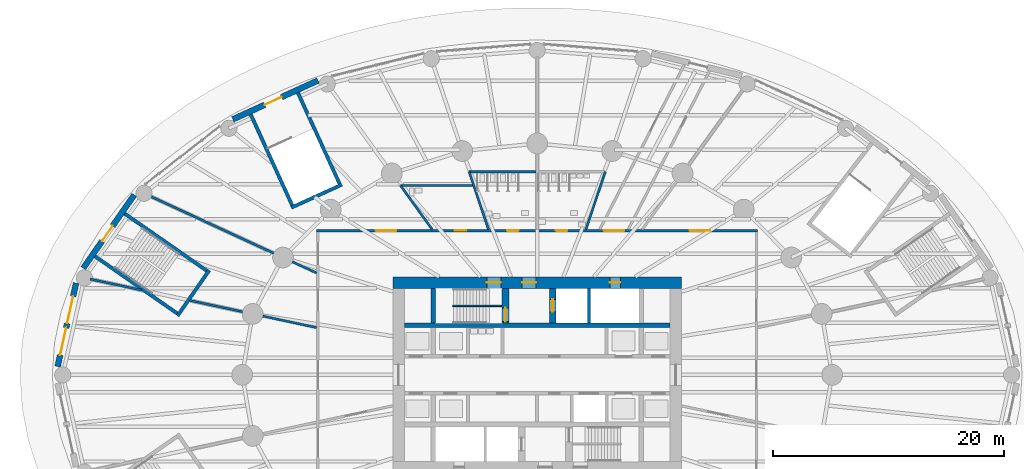
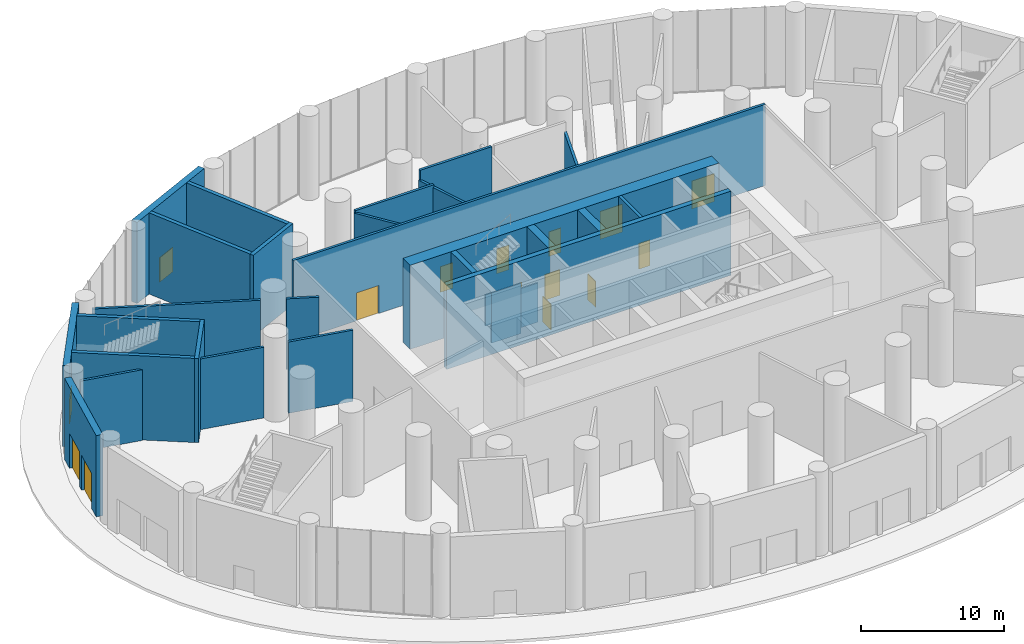
# One storey, part 16 of 22: 29 walls, 15 doors, 15 openings.
"""IFC4 building model written with IfcOpenShell, lengths in metres."""

from ifc_helpers import new_model, si_unit, direction, frame, frame_2d, origin, place, context, subcontext, project, spatial, rectangle, extrude, material, layer, layer_set, type_object, element, fill, save


model = new_model("IFC4")

# Units and contexts
model_context = context("Model", 3, precision=1e-05, world=origin(), true_north=direction((0.0, 1.0)))
body_context = subcontext(model_context, "Body", "Model", "MODEL_VIEW")
ifc_project = project(units=[si_unit("LENGTHUNIT", "METRE"), si_unit("AREAUNIT", "SQUARE_METRE"), si_unit("VOLUMEUNIT", "CUBIC_METRE"), si_unit("PLANEANGLEUNIT", "RADIAN"), si_unit("MASSUNIT", "GRAM", prefix="KILO")], contexts=[model_context])

# Site, building, storey
site_placement = place(None, origin())
site = spatial("IfcSite", under=ifc_project, at=site_placement, CompositionType="ELEMENT")
building_placement = place(site_placement, origin())
building = spatial("IfcBuilding", under=site, at=building_placement, Name="Hankou Lantern Tower", CompositionType="ELEMENT")
storey_placement = place(building_placement, origin())
storey = spatial("IfcBuildingStorey", under=building, at=storey_placement, Name="L00", CompositionType="ELEMENT", Elevation=0.0)

# Wall, openings, doors
ifc_material_1 = material(Name="Concrete C60", Category="concrete")
ifc_layer_1 = layer(ifc_material_1, 1.0)
ifc_layer_set_1 = layer_set([ifc_layer_1], Name="Concrete C60")
wall_type_1 = type_object("IfcWallType", Name="CW1 CORE WALL 1000", PredefinedType="SHEAR", material=ifc_layer_set_1)
wall_1_placement = place(storey_placement, frame((-12.5, 8.0, 0.0), z_axis=(0.0, 0.0, 1.0), x_axis=(1.0, 0.0, 0.0)))
wall_1 = element("IfcWall", 1, at=wall_1_placement, inside=storey, type_object=wall_type_1, Name="Core wall north L00", PredefinedType="SHEAR", context=body_context, shape_type="SweptSolid", body=[
    extrude(rectangle(XDim=25.0, YDim=1.0, at=frame_2d((12.5, 0.0))), origin(), (0.0, 0.0, 1.0), 7.199951171875),
])
opening_1_placement = place(wall_1_placement, frame((11.199951171875, 0.0, 0.0)))
opening_1 = element("IfcOpeningElement", 2, at=opening_1_placement, cuts=wall_1, Name="Opening D5", PredefinedType="OPENING", context=body_context, shape_type="SweptSolid", body=[
    extrude(rectangle(XDim=1.199951171875, YDim=2.199951171875, at=frame_2d((0.60009765625, 1.10009765625))), frame((0.0, 0.510009765625, 0.0), z_axis=(0.0, -1.0, 0.0), x_axis=(1.0, 0.0, 0.0)), (0.0, 0.0, 1.0), 1.02001953125),
])
opening_2_placement = place(wall_1_placement, frame((8.14990234375, 0.0, 0.0)))
opening_2 = element("IfcOpeningElement", 3, at=opening_2_placement, cuts=wall_1, Name="Opening D5", PredefinedType="OPENING", context=body_context, shape_type="SweptSolid", body=[
    extrude(rectangle(XDim=1.199951171875, YDim=2.199951171875, at=frame_2d((0.60009765625, 1.10009765625))), frame((0.0, 0.510009765625, 0.0), z_axis=(0.0, -1.0, 0.0), x_axis=(1.0, 0.0, 0.0)), (0.0, 0.0, 1.0), 1.02001953125),
])
opening_3_placement = place(wall_1_placement, frame((18.800048828125, 0.0, 0.0)))
opening_3 = element("IfcOpeningElement", 4, at=opening_3_placement, cuts=wall_1, Name="Opening D44", PredefinedType="OPENING", context=body_context, shape_type="SweptSolid", body=[
    extrude(rectangle(XDim=0.89990234375, YDim=2.199951171875, at=frame_2d((0.449951171875, 1.10009765625))), frame((0.0, 0.510009765625, 0.0), z_axis=(0.0, -1.0, 0.0), x_axis=(1.0, 0.0, 0.0)), (0.0, 0.0, 1.0), 1.02001953125),
])
ifc_material_2 = material(Name="Steel door leaf", Category="steel")
door_type_1 = type_object("IfcDoorType", Name="D44 CLASS B RISER DOOR 900X2200", OperationType="SINGLE_SWING_LEFT", PredefinedType="DOOR", material=ifc_material_2)
door_1_placement = place(opening_3_placement, origin())
door_1 = element("IfcDoor", 5, at=door_1_placement, inside=storey, type_object=door_type_1, Name="Riser N1 door", OperationType="SINGLE_SWING_RIGHT", OverallHeight=2.199951171875, OverallWidth=0.89990234375, PredefinedType="DOOR", context=body_context, shape_type="SweptSolid", body=[
    extrude(rectangle(XDim=0.89990234375, YDim=2.199951171875, at=frame_2d((0.449951171875, 1.10009765625))), frame((0.0, 0.02490234375, 0.0), z_axis=(0.0, -1.0, 0.0), x_axis=(1.0, 0.0, 0.0)), (0.0, 0.0, 1.0), 0.050048828125),
])
fill(opening_3, door_1)
ifc_material_3 = material(Name="Steel door leaf", Category="steel")
door_type_2 = type_object("IfcDoorType", Name="D5 STAIR LOBBY DOOR 1200X2200", OperationType="SINGLE_SWING_LEFT", PredefinedType="DOOR", material=ifc_material_3)
door_2_placement = place(opening_1_placement, origin())
door_2 = element("IfcDoor", 6, at=door_2_placement, inside=storey, type_object=door_type_2, Name="Stair A lobby door", OperationType="SINGLE_SWING_LEFT", OverallHeight=2.199951171875, OverallWidth=1.199951171875, PredefinedType="DOOR", context=body_context, shape_type="SweptSolid", body=[
    extrude(rectangle(XDim=1.199951171875, YDim=2.199951171875, at=frame_2d((0.60009765625, 1.10009765625))), frame((0.0, 0.02490234375, 0.0), z_axis=(0.0, -1.0, 0.0), x_axis=(1.0, 0.0, 0.0)), (0.0, 0.0, 1.0), 0.050048828125),
])
fill(opening_1, door_2)
door_3_placement = place(opening_2_placement, origin())
door_3 = element("IfcDoor", 7, at=door_3_placement, inside=storey, type_object=door_type_2, Name="Stair A basement exit door", OperationType="SINGLE_SWING_LEFT", OverallHeight=2.199951171875, OverallWidth=1.199951171875, PredefinedType="DOOR", context=body_context, shape_type="SweptSolid", body=[
    extrude(rectangle(XDim=1.199951171875, YDim=2.199951171875, at=frame_2d((0.60009765625, 1.10009765625))), frame((0.0, 0.02490234375, 0.0), z_axis=(0.0, -1.0, 0.0), x_axis=(1.0, 0.0, 0.0)), (0.0, 0.0, 1.0), 0.050048828125),
])
fill(opening_2, door_3)

# Walls
ifc_material_4 = material(Name="Concrete C50", Category="concrete")
ifc_layer_2 = layer(ifc_material_4, 0.1201171875)
ifc_layer_set_2 = layer_set([ifc_layer_2], Name="Concrete C50")
wall_type_2 = type_object("IfcWallType", Name="CW10 STAIR SEPARATION WALL 120", PredefinedType="PARTITIONING", material=ifc_layer_set_2)
wall_2_placement = place(storey_placement, frame((-6.830078125, 5.97509765625, -0.5), z_axis=(0.0, 0.0, 1.0), x_axis=(1.0, 0.0, 0.0)))
element("IfcWall", 8, at=wall_2_placement, inside=storey, type_object=wall_type_2, Name="Stair A separation wall (flight gap)", PredefinedType="PARTITIONING", context=body_context, shape_type="SweptSolid", body=[
    extrude(rectangle(XDim=2.380126953125, YDim=0.1201171875, at=frame_2d((1.18994140625, 0.0))), origin(), (0.0, 0.0, 1.0), 4.300048828125),
])
wall_3_placement = place(storey_placement, frame((-4.449951171875, 5.97509765625, 0.0), z_axis=(0.0, 0.0, 1.0), x_axis=(1.0, 0.0, 0.0)))
element("IfcWall", 9, at=wall_3_placement, inside=storey, type_object=wall_type_2, Name="Stair A separation wall (landing)", PredefinedType="PARTITIONING", context=body_context, shape_type="SweptSolid", body=[
    extrude(rectangle(XDim=1.39990234375, YDim=0.1201171875, at=frame_2d((0.699951171875, 0.0))), origin(), (0.0, 0.0, 1.0), 3.35009765625),
])
wall_4_placement = place(storey_placement, frame((-7.300048828125, 5.97509765625, 1.12890625), z_axis=(0.0, 0.0, 1.0), x_axis=(1.0, 0.0, 0.0)))
element("IfcWall", 10, at=wall_4_placement, inside=storey, type_object=wall_type_2, Name="Stair A separation wall (flight gap, west end)", PredefinedType="PARTITIONING", context=body_context, shape_type="SweptSolid", body=[
    extrude(rectangle(XDim=0.469970703125, YDim=0.1201171875, at=frame_2d((0.23486328125, 0.0))), origin(), (0.0, 0.0, 1.0), 2.671142578125),
])
ifc_material_5 = material(Name="Concrete C60", Category="concrete")
ifc_layer_3 = layer(ifc_material_5, 0.39990234375)
ifc_layer_set_3 = layer_set([ifc_layer_3], Name="Concrete C60")
wall_type_3 = type_object("IfcWallType", Name="CW4 CORE CROSS WALL 400", PredefinedType="SHEAR", material=ifc_layer_set_3)
wall_5_placement = place(storey_placement, frame((-11.5, 4.300048828125, 0.0), z_axis=(0.0, 0.0, 1.0), x_axis=(1.0, 0.0, 0.0)))
element("IfcWall", 11, at=wall_5_placement, inside=storey, type_object=wall_type_3, Name="Core band wall north L00", PredefinedType="SHEAR", context=body_context, shape_type="SweptSolid", body=[
    extrude(rectangle(XDim=23.0, YDim=0.39990234375, at=frame_2d((11.5, 0.0))), origin(), (0.0, 0.0, 1.0), 7.199951171875),
])
wall_6_placement = place(storey_placement, frame((-9.0, 4.5, 0.0), z_axis=(0.0, 0.0, 1.0), x_axis=(0.0, 1.0, 0.0)))
element("IfcWall", 12, at=wall_6_placement, inside=storey, type_object=wall_type_3, Name="Core strip wall L00", PredefinedType="SHEAR", context=body_context, shape_type="SweptSolid", body=[
    extrude(rectangle(XDim=3.0, YDim=0.39990234375, at=frame_2d((1.5, 0.0))), origin(), (0.0, 0.0, 1.0), 7.199951171875),
])

# Wall, opening, door
ifc_material_6 = material(Name="Concrete C60", Category="concrete")
ifc_layer_4 = layer(ifc_material_6, 0.60009765625)
ifc_layer_set_4 = layer_set([ifc_layer_4], Name="Concrete C60")
wall_type_4 = type_object("IfcWallType", Name="CW6 STAIR AND SHAFT WALL 600", PredefinedType="SHEAR", material=ifc_layer_set_4)
wall_7_placement = place(storey_placement, frame((-2.75, 7.5, 0.0), z_axis=(0.0, 0.0, 1.0), x_axis=(0.0, -1.0, 0.0)))
wall_7 = element("IfcWall", 13, at=wall_7_placement, inside=storey, type_object=wall_type_4, Name="Stair wall L00", PredefinedType="SHEAR", context=body_context, shape_type="SweptSolid", body=[
    extrude(rectangle(XDim=3.0, YDim=0.60009765625, at=frame_2d((1.5, 0.0))), origin(), (0.0, 0.0, 1.0), 7.199951171875),
])
opening_4_placement = place(wall_7_placement, frame((1.6923828125, 0.0, 0.0)))
opening_4 = element("IfcOpeningElement", 14, at=opening_4_placement, cuts=wall_7, Name="Opening D45", PredefinedType="OPENING", context=body_context, shape_type="SweptSolid", body=[
    extrude(rectangle(XDim=1.199951171875, YDim=2.199951171875, at=frame_2d((0.60009765625, 1.10009765625))), frame((0.0, 0.31005859375, 0.0), z_axis=(0.0, -1.0, 0.0), x_axis=(1.0, 0.0, 0.0)), (0.0, 0.0, 1.0), 0.6201171875),
])
ifc_material_7 = material(Name="Steel door leaf", Category="steel")
door_type_3 = type_object("IfcDoorType", Name="D45 WIDE STAIR DOOR 1200X2200", OperationType="SINGLE_SWING_LEFT", PredefinedType="DOOR", material=ifc_material_7)
door_4_placement = place(opening_4_placement, origin())
door_4 = element("IfcDoor", 15, at=door_4_placement, inside=storey, type_object=door_type_3, Name="Stair A door", OperationType="SINGLE_SWING_RIGHT", OverallHeight=2.199951171875, OverallWidth=1.199951171875, PredefinedType="DOOR", context=body_context, shape_type="SweptSolid", body=[
    extrude(rectangle(XDim=1.199951171875, YDim=2.199951171875, at=frame_2d((0.60009765625, 1.10009765625))), frame((0.0, 0.02490234375, 0.0), z_axis=(0.0, -1.0, 0.0), x_axis=(1.0, 0.0, 0.0)), (0.0, 0.0, 1.0), 0.050048828125),
])
fill(opening_4, door_4)

wall_8_placement = place(storey_placement, frame((1.35009765625, 4.5, 0.0), z_axis=(0.0, 0.0, 1.0), x_axis=(0.0, 1.0, 0.0)))
wall_8 = element("IfcWall", 16, at=wall_8_placement, inside=storey, type_object=wall_type_4, Name="Firefighting lift shaft wall L00", PredefinedType="SHEAR", context=body_context, shape_type="SweptSolid", body=[
    extrude(rectangle(XDim=3.0, YDim=0.60009765625, at=frame_2d((1.5, 0.0))), origin(), (0.0, 0.0, 1.0), 7.199951171875),
])
opening_5_placement = place(wall_8_placement, frame((0.949951171875, 0.0, 0.0)))
opening_5 = element("IfcOpeningElement", 17, at=opening_5_placement, cuts=wall_8, Name="Opening LD2", PredefinedType="OPENING", context=body_context, shape_type="SweptSolid", body=[
    extrude(rectangle(XDim=1.10009765625, YDim=2.199951171875, at=frame_2d((0.550048828125, 1.10009765625))), frame((0.0, 0.31005859375, 0.0), z_axis=(0.0, -1.0, 0.0), x_axis=(1.0, 0.0, 0.0)), (0.0, 0.0, 1.0), 0.6201171875),
])
ifc_material_8 = material(Name="Steel door leaf", Category="steel")
door_type_4 = type_object("IfcDoorType", Name="LD2 FIREFIGHTING LIFT LANDING DOOR 1100X2200", OperationType="DOUBLE_DOOR_SLIDING", PredefinedType="DOOR", material=ifc_material_8)
door_5_placement = place(opening_5_placement, origin())
door_5 = element("IfcDoor", 18, at=door_5_placement, inside=storey, type_object=door_type_4, Name="Firefighting lift FL1 landing door", OperationType="DOUBLE_DOOR_SLIDING", OverallHeight=2.199951171875, OverallWidth=1.10009765625, PredefinedType="DOOR", context=body_context, shape_type="SweptSolid", body=[
    extrude(rectangle(XDim=1.10009765625, YDim=2.199951171875, at=frame_2d((0.550048828125, 1.10009765625))), frame((0.0, 0.02490234375, 0.0), z_axis=(0.0, -1.0, 0.0), x_axis=(1.0, 0.0, 0.0)), (0.0, 0.0, 1.0), 0.050048828125),
])
fill(opening_5, door_5)

# Walls
ifc_material_9 = material(Name="Concrete C50", Category="concrete")
ifc_layer_5 = layer(ifc_material_9, 0.300048828125)
ifc_layer_set_5 = layer_set([ifc_layer_5], Name="Concrete C50")
wall_type_5 = type_object("IfcWallType", Name="CW7 PODIUM STAIR WALL 300", PredefinedType="SHEAR", material=ifc_layer_set_5)
wall_9_placement = place(storey_placement, frame((-35.7294921875, 13.968017578125, 0.0), z_axis=(0.0, 0.0, 1.0), x_axis=(0.82092761123, -0.571032273274, 0.0)))
element("IfcWall", 19, at=wall_9_placement, inside=storey, type_object=wall_type_5, Name="Podium stair P2 wall", PredefinedType="SHEAR", context=body_context, shape_type="SweptSolid", body=[
    extrude(rectangle(XDim=8.659912109375, YDim=0.300048828125, at=frame_2d((4.330078125, 0.0))), origin(), (0.0, 0.0, 1.0), 7.199951171875),
])
wall_10_placement = place(storey_placement, frame((-38.29931640625, 10.273681640625, 0.0), z_axis=(0.0, 0.0, 1.0), x_axis=(0.820936803751, -0.571019057692, 0.0)))
element("IfcWall", 20, at=wall_10_placement, inside=storey, type_object=wall_type_5, Name="Podium stair P2 wall", PredefinedType="SHEAR", context=body_context, shape_type="SweptSolid", body=[
    extrude(rectangle(XDim=8.66015625, YDim=0.300048828125, at=frame_2d((4.330078125, 0.0))), origin(), (0.0, 0.0, 1.0), 7.199951171875),
])
wall_11_placement = place(storey_placement, frame((-28.41162109375, 9.060302734375, 0.0), z_axis=(0.0, 0.0, 1.0), x_axis=(-0.571036173178, -0.820924898467, 0.0)))
element("IfcWall", 21, at=wall_11_placement, inside=storey, type_object=wall_type_5, Name="Podium stair P2 wall", PredefinedType="SHEAR", context=body_context, shape_type="SweptSolid", body=[
    extrude(rectangle(XDim=4.800048828125, YDim=0.300048828125, at=frame_2d((2.39990234375, 0.0))), origin(), (0.0, 0.0, 1.0), 7.199951171875),
])
for number, where, z_axis, x_axis, name in (
    (22, (-20.722412109375, 24.437255859375, 0.0), (0.0, 0.0, 1.0), (0.415348644036, -0.909662302119, 0.0), "Basement stair BS2 wall"),
    (23, (-24.81591796875, 22.568359375, 0.0), (0.0, 0.0, 1.0), (0.415348644036, -0.909662302119, 0.0), "Basement stair BS2 wall"),
):
    element("IfcWall", number, at=place(storey_placement, frame(where, z_axis=z_axis, x_axis=x_axis)), inside=storey, type_object=wall_type_5, Name=name, PredefinedType="SHEAR", context=body_context, shape_type="SweptSolid", body=[
        extrude(rectangle(XDim=8.659912109375, YDim=0.300048828125, at=frame_2d((4.330078125, 0.0))), origin(), (0.0, 0.0, 1.0), 6.949951171875),
    ])
wall_12_placement = place(storey_placement, frame((-16.9267578125, 16.4853515625, 0.0), z_axis=(0.0, 0.0, 1.0), x_axis=(-0.90966669911, -0.415339013975, 0.0)))
element("IfcWall", 24, at=wall_12_placement, inside=storey, type_object=wall_type_5, Name="Basement stair BS2 wall", PredefinedType="SHEAR", context=body_context, shape_type="SweptSolid", body=[
    extrude(rectangle(XDim=4.800048828125, YDim=0.300048828125, at=frame_2d((2.39990234375, 0.0))), origin(), (0.0, 0.0, 1.0), 6.949951171875),
])

# Wall, opening, door
ifc_material_10 = material(Name="Granite cladding on reinforced concrete C50", Category="masonry")
ifc_layer_6 = layer(ifc_material_10, 0.5)
ifc_layer_set_6 = layer_set([ifc_layer_6], Name="Granite cladding on reinforced concrete C50")
wall_type_6 = type_object("IfcWallType", Name="EW2 STONE PORTAL WALL 500", PredefinedType="SOLIDWALL", material=ifc_layer_set_6)
wall_13_placement = place(storey_placement, frame((-18.9873046875, 25.50439453125, 0.0), z_axis=(0.0, 0.0, 1.0), x_axis=(-0.909665260177, -0.415342165482, 0.0)))
wall_13 = element("IfcWall", 25, at=wall_13_placement, inside=storey, type_object=wall_type_6, Name="Portal wall R09 L00", PredefinedType="SOLIDWALL", context=body_context, shape_type="SweptSolid", body=[
    extrude(rectangle(XDim=8.111083984375, YDim=0.5, at=frame_2d((4.0556640625, 0.0))), origin(), (0.0, 0.0, 1.0), 6.949951171875),
])
opening_6_placement = place(wall_13_placement, frame((3.471435546875, 0.0, 0.0)))
opening_6 = element("IfcOpeningElement", 26, at=opening_6_placement, cuts=wall_13, Name="Opening D21", PredefinedType="OPENING", context=body_context, shape_type="SweptSolid", body=[
    extrude(rectangle(XDim=1.60009765625, YDim=2.10009765625, at=frame_2d((0.800048828125, 1.050048828125))), frame((0.0, 0.260009765625, 0.0), z_axis=(0.0, -1.0, 0.0), x_axis=(1.0, 0.0, 0.0)), (0.0, 0.0, 1.0), 0.52001953125),
])
ifc_material_11 = material(Name="Steel door leaf", Category="steel")
door_type_5 = type_object("IfcDoorType", Name="D21 PODIUM STAIR EXIT DOOR 1600X2100", OperationType="DOUBLE_DOOR_DOUBLE_SWING", PredefinedType="DOOR", material=ifc_material_11)
door_6_placement = place(opening_6_placement, origin())
door_6 = element("IfcDoor", 27, at=door_6_placement, inside=storey, type_object=door_type_5, Name="Basement stair BS2 exit door", OperationType="DOUBLE_DOOR_DOUBLE_SWING", OverallHeight=2.10009765625, OverallWidth=1.60009765625, PredefinedType="DOOR", context=body_context, shape_type="SweptSolid", body=[
    extrude(rectangle(XDim=1.60009765625, YDim=2.10009765625, at=frame_2d((0.800048828125, 1.050048828125))), frame((0.0, 0.02490234375, 0.0), z_axis=(0.0, -1.0, 0.0), x_axis=(1.0, 0.0, 0.0)), (0.0, 0.0, 1.0), 0.050048828125),
])
fill(opening_6, door_6)

wall_14_placement = place(storey_placement, frame((-34.90478515625, 15.591552734375, 0.0), z_axis=(0.0, 0.0, 1.0), x_axis=(-0.571029335057, -0.820929655028, 0.0)))
wall_14 = element("IfcWall", 28, at=wall_14_placement, inside=storey, type_object=wall_type_6, Name="Portal wall R11 L00", PredefinedType="SOLIDWALL", context=body_context, shape_type="SweptSolid", body=[
    extrude(rectangle(XDim=7.732666015625, YDim=0.5, at=frame_2d((3.8662109375, 0.0))), origin(), (0.0, 0.0, 1.0), 6.949951171875),
])
opening_7_placement = place(wall_14_placement, frame((3.273681640625, 0.0, 0.0)))
opening_7 = element("IfcOpeningElement", 29, at=opening_7_placement, cuts=wall_14, Name="Opening D21", PredefinedType="OPENING", context=body_context, shape_type="SweptSolid", body=[
    extrude(rectangle(XDim=1.60009765625, YDim=2.10009765625, at=frame_2d((0.800048828125, 1.050048828125))), frame((0.0, 0.260009765625, 0.0), z_axis=(0.0, -1.0, 0.0), x_axis=(1.0, 0.0, 0.0)), (0.0, 0.0, 1.0), 0.52001953125),
])
door_7_placement = place(opening_7_placement, origin())
door_7 = element("IfcDoor", 30, at=door_7_placement, inside=storey, type_object=door_type_5, Name="Podium stair P2 exit door", OperationType="DOUBLE_DOOR_DOUBLE_SWING", OverallHeight=2.10009765625, OverallWidth=1.60009765625, PredefinedType="DOOR", context=body_context, shape_type="SweptSolid", body=[
    extrude(rectangle(XDim=1.60009765625, YDim=2.10009765625, at=frame_2d((0.800048828125, 1.050048828125))), frame((0.0, 0.02490234375, 0.0), z_axis=(0.0, -1.0, 0.0), x_axis=(1.0, 0.0, 0.0)), (0.0, 0.0, 1.0), 0.050048828125),
])
fill(opening_7, door_7)

# Wall, openings, doors
wall_15_placement = place(storey_placement, frame((-39.94287109375, 7.94970703125, 0.0), z_axis=(0.0, 0.0, 1.0), x_axis=(-0.215818853801, -0.976433419309, 0.0)))
wall_15 = element("IfcWall", 31, at=wall_15_placement, inside=storey, type_object=wall_type_6, Name="Portal wall R12 L00", PredefinedType="SOLIDWALL", context=body_context, shape_type="SweptSolid", body=[
    extrude(rectangle(XDim=7.39599609375, YDim=0.5, at=frame_2d((3.697998046875, 0.0))), origin(), (0.0, 0.0, 1.0), 6.949951171875),
])
opening_8_placement = place(wall_15_placement, frame((1.17138671875, 0.0, 0.0)))
opening_8 = element("IfcOpeningElement", 32, at=opening_8_placement, cuts=wall_15, Name="Opening D18", PredefinedType="OPENING", context=body_context, shape_type="SweptSolid", body=[
    extrude(rectangle(XDim=2.39990234375, YDim=3.0, at=frame_2d((1.199951171875, 1.5))), frame((0.0, 0.260009765625, 0.0), z_axis=(0.0, -1.0, 0.0), x_axis=(1.0, 0.0, 0.0)), (0.0, 0.0, 1.0), 0.52001953125),
])
opening_9_placement = place(wall_15_placement, frame((3.971435546875, 0.0, 0.0)))
opening_9 = element("IfcOpeningElement", 33, at=opening_9_placement, cuts=wall_15, Name="Opening D18", PredefinedType="OPENING", context=body_context, shape_type="SweptSolid", body=[
    extrude(rectangle(XDim=2.39990234375, YDim=3.0, at=frame_2d((1.199951171875, 1.5))), frame((0.0, 0.260009765625, 0.0), z_axis=(0.0, -1.0, 0.0), x_axis=(1.0, 0.0, 0.0)), (0.0, 0.0, 1.0), 0.52001953125),
])
ifc_material_12 = material(Name="Aluminium framed glazed door", Category="aluminium")
door_type_6 = type_object("IfcDoorType", Name="D18 ENTRANCE DOOR 2400X3000", OperationType="DOUBLE_DOOR_DOUBLE_SWING", PredefinedType="DOOR", material=ifc_material_12)
door_8_placement = place(opening_8_placement, origin())
door_8 = element("IfcDoor", 34, at=door_8_placement, inside=storey, type_object=door_type_6, Name="Entrance door R12a", OperationType="DOUBLE_DOOR_DOUBLE_SWING", OverallHeight=3.0, OverallWidth=2.39990234375, PredefinedType="DOOR", context=body_context, shape_type="SweptSolid", body=[
    extrude(rectangle(XDim=2.39990234375, YDim=3.0, at=frame_2d((1.199951171875, 1.5))), frame((0.0, 0.02490234375, 0.0), z_axis=(0.0, -1.0, 0.0), x_axis=(1.0, 0.0, 0.0)), (0.0, 0.0, 1.0), 0.050048828125),
])
fill(opening_8, door_8)
door_9_placement = place(opening_9_placement, origin())
door_9 = element("IfcDoor", 35, at=door_9_placement, inside=storey, type_object=door_type_6, Name="Entrance door R12b", OperationType="DOUBLE_DOOR_DOUBLE_SWING", OverallHeight=3.0, OverallWidth=2.39990234375, PredefinedType="DOOR", context=body_context, shape_type="SweptSolid", body=[
    extrude(rectangle(XDim=2.39990234375, YDim=3.0, at=frame_2d((1.199951171875, 1.5))), frame((0.0, 0.02490234375, 0.0), z_axis=(0.0, -1.0, 0.0), x_axis=(1.0, 0.0, 0.0)), (0.0, 0.0, 1.0), 0.050048828125),
])
fill(opening_9, door_9)

# Walls
ifc_material_13 = material(Name="Masonry lightweight concrete block", Category="masonry")
ifc_layer_7 = layer(ifc_material_13, 0.199951171875)
ifc_layer_set_7 = layer_set([ifc_layer_7], Name="Masonry lightweight concrete block")
wall_type_7 = type_object("IfcWallType", Name="IW8 PARTITION 200", PredefinedType="PARTITIONING", material=ifc_layer_set_7)
for number, where, z_axis, x_axis, name in (
    (36, (4.22021484375, 12.60009765625, 0.0), (0.0, 0.0, 1.0), (0.317574790206, 0.948233226915, 0.0), "Partition R06"),
    (37, (-4.22021484375, 12.60009765625, 0.0), (0.0, 0.0, 1.0), (-0.317574790206, 0.948233226915, 0.0), "Partition R08"),
):
    element("IfcWall", number, at=place(storey_placement, frame(where, z_axis=z_axis, x_axis=x_axis)), inside=storey, type_object=wall_type_7, Name=name, PredefinedType="PARTITIONING", context=body_context, shape_type="SweptSolid", body=[
        extrude(rectangle(XDim=5.27294921875, YDim=0.199951171875, at=frame_2d((2.636474609375, 0.0))), origin(), (0.0, 0.0, 1.0), 6.10009765625),
    ])
wall_16_placement = place(storey_placement, frame((-9.09326171875, 12.60009765625, 0.0), z_axis=(0.0, 0.0, 1.0), x_axis=(-0.585228020299, 0.810868771292, 0.0)))
element("IfcWall", 38, at=wall_16_placement, inside=storey, type_object=wall_type_7, Name="Partition R09", PredefinedType="PARTITIONING", context=body_context, shape_type="SweptSolid", body=[
    extrude(rectangle(XDim=4.68603515625, YDim=0.199951171875, at=frame_2d((2.343017578125, 0.0))), origin(), (0.0, 0.0, 1.0), 6.10009765625),
])
wall_17_placement = place(storey_placement, frame((-19.10009765625, 8.822021484375, 0.0), z_axis=(0.0, 0.0, 1.0), x_axis=(-0.907872952542, 0.419245395971, 0.0)))
element("IfcWall", 39, at=wall_17_placement, inside=storey, type_object=wall_type_7, Name="Partition R11", PredefinedType="PARTITIONING", context=body_context, shape_type="SweptSolid", body=[
    extrude(rectangle(XDim=2.3154296875, YDim=0.199951171875, at=frame_2d((1.15771484375, 0.0))), origin(), (0.0, 0.0, 1.0), 6.050048828125),
])
wall_18_placement = place(storey_placement, frame((-22.836181640625, 10.547607421875, 0.0), z_axis=(0.0, 0.0, 1.0), x_axis=(-0.90784065247, 0.419315334471, 0.0)))
element("IfcWall", 40, at=wall_18_placement, inside=storey, type_object=wall_type_7, Name="Partition R11", PredefinedType="PARTITIONING", context=body_context, shape_type="SweptSolid", body=[
    extrude(rectangle(XDim=11.859619140625, YDim=0.199951171875, at=frame_2d((5.9296875, 0.0))), origin(), (0.0, 0.0, 1.0), 6.050048828125),
])
wall_19_placement = place(storey_placement, frame((-0.10009765625, 17.60009765625, 0.0), z_axis=(0.0, 0.0, 1.0), x_axis=(-1.0, 0.0, 0.0)))
element("IfcWall", 41, at=wall_19_placement, inside=storey, type_object=wall_type_7, Name="Partition WC back wall", PredefinedType="PARTITIONING", context=body_context, shape_type="SweptSolid", body=[
    extrude(rectangle(XDim=5.794677734375, YDim=0.199951171875, at=frame_2d((2.8974609375, 0.0))), origin(), (0.0, 0.0, 1.0), 6.949951171875),
])
wall_20_placement = place(storey_placement, frame((-5.492919921875, 16.39990234375, 0.0), z_axis=(0.0, 0.0, 1.0), x_axis=(-1.0, 0.0, 0.0)))
element("IfcWall", 42, at=wall_20_placement, inside=storey, type_object=wall_type_7, Name="Partition accessible WC back wall", PredefinedType="PARTITIONING", context=body_context, shape_type="SweptSolid", body=[
    extrude(rectangle(XDim=6.3427734375, YDim=0.199951171875, at=frame_2d((3.17138671875, 0.0))), origin(), (0.0, 0.0, 1.0), 6.300048828125),
])

# Wall, openings, doors
ifc_material_14 = material(Name="Masonry dense concrete block", Category="masonry")
ifc_layer_8 = layer(ifc_material_14, 0.199951171875)
ifc_layer_set_8 = layer_set([ifc_layer_8], Name="Masonry dense concrete block")
wall_type_8 = type_object("IfcWallType", Name="IW9 2 H FIRE PARTITION 200", PredefinedType="PARTITIONING", material=ifc_layer_set_8)
wall_21_placement = place(storey_placement, frame((-19.10009765625, 12.5, 0.0), z_axis=(0.0, 0.0, 1.0), x_axis=(1.0, 0.0, 0.0)))
wall_21 = element("IfcWall", 43, at=wall_21_placement, inside=storey, type_object=wall_type_8, Name="Foyer wall north", PredefinedType="PARTITIONING", context=body_context, shape_type="SweptSolid", body=[
    extrude(rectangle(XDim=38.2001953125, YDim=0.199951171875, at=frame_2d((19.10009765625, 0.0))), origin(), (0.0, 0.0, 1.0), 6.949951171875),
])
opening_10_placement = place(wall_21_placement, frame((32.296630859375, 0.0, 0.0)))
opening_10 = element("IfcOpeningElement", 44, at=opening_10_placement, cuts=wall_21, Name="Opening D8", PredefinedType="OPENING", context=body_context, shape_type="SweptSolid", body=[
    extrude(rectangle(XDim=1.800048828125, YDim=2.39990234375, at=frame_2d((0.89990234375, 1.199951171875))), frame((0.0, 0.10986328125, 0.0), z_axis=(0.0, -1.0, 0.0), x_axis=(1.0, 0.0, 0.0)), (0.0, 0.0, 1.0), 0.219970703125),
])
opening_11_placement = place(wall_21_placement, frame((24.856689453125, 0.0, 0.0)))
opening_11 = element("IfcOpeningElement", 45, at=opening_11_placement, cuts=wall_21, Name="Opening D8", PredefinedType="OPENING", context=body_context, shape_type="SweptSolid", body=[
    extrude(rectangle(XDim=1.800048828125, YDim=2.39990234375, at=frame_2d((0.89990234375, 1.199951171875))), frame((0.0, 0.10986328125, 0.0), z_axis=(0.0, -1.0, 0.0), x_axis=(1.0, 0.0, 0.0)), (0.0, 0.0, 1.0), 0.219970703125),
])
opening_12_placement = place(wall_21_placement, frame((20.710205078125, 0.0, 0.0)))
opening_12 = element("IfcOpeningElement", 46, at=opening_12_placement, cuts=wall_21, Name="Opening D41", PredefinedType="OPENING", context=body_context, shape_type="SweptSolid", body=[
    extrude(rectangle(XDim=1.0, YDim=2.10009765625, at=frame_2d((0.5, 1.050048828125))), frame((0.0, 0.10986328125, 0.0), z_axis=(0.0, -1.0, 0.0), x_axis=(1.0, 0.0, 0.0)), (0.0, 0.0, 1.0), 0.219970703125),
])
opening_13_placement = place(wall_21_placement, frame((16.489990234375, 0.0, 0.0)))
opening_13 = element("IfcOpeningElement", 47, at=opening_13_placement, cuts=wall_21, Name="Opening D41", PredefinedType="OPENING", context=body_context, shape_type="SweptSolid", body=[
    extrude(rectangle(XDim=1.0, YDim=2.10009765625, at=frame_2d((0.5, 1.050048828125))), frame((0.0, 0.10986328125, 0.0), z_axis=(0.0, -1.0, 0.0), x_axis=(1.0, 0.0, 0.0)), (0.0, 0.0, 1.0), 0.219970703125),
])
opening_14_placement = place(wall_21_placement, frame((11.943359375, 0.0, 0.0)))
opening_14 = element("IfcOpeningElement", 48, at=opening_14_placement, cuts=wall_21, Name="Opening D42", PredefinedType="OPENING", context=body_context, shape_type="SweptSolid", body=[
    extrude(rectangle(XDim=1.0, YDim=2.199951171875, at=frame_2d((0.5, 1.10009765625))), frame((0.0, 0.10986328125, 0.0), z_axis=(0.0, -1.0, 0.0), x_axis=(1.0, 0.0, 0.0)), (0.0, 0.0, 1.0), 0.219970703125),
])
opening_15_placement = place(wall_21_placement, frame((5.10009765625, 0.0, 0.0)))
opening_15 = element("IfcOpeningElement", 49, at=opening_15_placement, cuts=wall_21, Name="Opening D8", PredefinedType="OPENING", context=body_context, shape_type="SweptSolid", body=[
    extrude(rectangle(XDim=1.800048828125, YDim=2.39990234375, at=frame_2d((0.89990234375, 1.199951171875))), frame((0.0, 0.10986328125, 0.0), z_axis=(0.0, -1.0, 0.0), x_axis=(1.0, 0.0, 0.0)), (0.0, 0.0, 1.0), 0.219970703125),
])
ifc_material_15 = material(Name="Steel door leaf", Category="steel")
door_type_7 = type_object("IfcDoorType", Name="D41 CLASS B WC DOOR 1000X2100", OperationType="SINGLE_SWING_LEFT", PredefinedType="DOOR", material=ifc_material_15)
door_10_placement = place(opening_12_placement, origin())
door_10 = element("IfcDoor", 50, at=door_10_placement, inside=storey, type_object=door_type_7, Name="Public male WC door", OperationType="SINGLE_SWING_RIGHT", OverallHeight=2.10009765625, OverallWidth=1.0, PredefinedType="DOOR", context=body_context, shape_type="SweptSolid", body=[
    extrude(rectangle(XDim=1.0, YDim=2.10009765625, at=frame_2d((0.5, 1.050048828125))), frame((0.0, 0.02490234375, 0.0), z_axis=(0.0, -1.0, 0.0), x_axis=(1.0, 0.0, 0.0)), (0.0, 0.0, 1.0), 0.050048828125),
])
fill(opening_12, door_10)
door_11_placement = place(opening_13_placement, origin())
door_11 = element("IfcDoor", 51, at=door_11_placement, inside=storey, type_object=door_type_7, Name="Public female WC door", OperationType="SINGLE_SWING_LEFT", OverallHeight=2.10009765625, OverallWidth=1.0, PredefinedType="DOOR", context=body_context, shape_type="SweptSolid", body=[
    extrude(rectangle(XDim=1.0, YDim=2.10009765625, at=frame_2d((0.5, 1.050048828125))), frame((0.0, 0.02490234375, 0.0), z_axis=(0.0, -1.0, 0.0), x_axis=(1.0, 0.0, 0.0)), (0.0, 0.0, 1.0), 0.050048828125),
])
fill(opening_13, door_11)
ifc_material_16 = material(Name="Steel door leaf", Category="steel")
door_type_8 = type_object("IfcDoorType", Name="D42 CLASS B ACCESSIBLE WC DOOR 1000X2200", OperationType="SLIDING_TO_LEFT", PredefinedType="DOOR", material=ifc_material_16)
door_12_placement = place(opening_14_placement, origin())
door_12 = element("IfcDoor", 52, at=door_12_placement, inside=storey, type_object=door_type_8, Name="Accessible WC and baby change door", OperationType="SLIDING_TO_LEFT", OverallHeight=2.199951171875, OverallWidth=1.0, PredefinedType="DOOR", context=body_context, shape_type="SweptSolid", body=[
    extrude(rectangle(XDim=1.0, YDim=2.199951171875, at=frame_2d((0.5, 1.10009765625))), frame((0.0, 0.02490234375, 0.0), z_axis=(0.0, -1.0, 0.0), x_axis=(1.0, 0.0, 0.0)), (0.0, 0.0, 1.0), 0.050048828125),
])
fill(opening_14, door_12)
ifc_material_17 = material(Name="Steel door leaf", Category="steel")
door_type_9 = type_object("IfcDoorType", Name="D8 DOUBLE DOOR 1800X2400", OperationType="DOUBLE_DOOR_DOUBLE_SWING", PredefinedType="DOOR", material=ifc_material_17)
door_13_placement = place(opening_10_placement, origin())
door_13 = element("IfcDoor", 53, at=door_13_placement, inside=storey, type_object=door_type_9, Name="Retail unit G01 door", OperationType="DOUBLE_DOOR_DOUBLE_SWING", OverallHeight=2.39990234375, OverallWidth=1.800048828125, PredefinedType="DOOR", context=body_context, shape_type="SweptSolid", body=[
    extrude(rectangle(XDim=1.800048828125, YDim=2.39990234375, at=frame_2d((0.89990234375, 1.199951171875))), frame((0.0, 0.02490234375, 0.0), z_axis=(0.0, -1.0, 0.0), x_axis=(1.0, 0.0, 0.0)), (0.0, 0.0, 1.0), 0.050048828125),
])
fill(opening_10, door_13)
door_14_placement = place(opening_11_placement, origin())
door_14 = element("IfcDoor", 54, at=door_14_placement, inside=storey, type_object=door_type_9, Name="Protected passage A door", OperationType="DOUBLE_DOOR_DOUBLE_SWING", OverallHeight=2.39990234375, OverallWidth=1.800048828125, PredefinedType="DOOR", context=body_context, shape_type="SweptSolid", body=[
    extrude(rectangle(XDim=1.800048828125, YDim=2.39990234375, at=frame_2d((0.89990234375, 1.199951171875))), frame((0.0, 0.02490234375, 0.0), z_axis=(0.0, -1.0, 0.0), x_axis=(1.0, 0.0, 0.0)), (0.0, 0.0, 1.0), 0.050048828125),
])
fill(opening_11, door_14)
door_15_placement = place(opening_15_placement, origin())
door_15 = element("IfcDoor", 55, at=door_15_placement, inside=storey, type_object=door_type_9, Name="Retail unit G03 door", OperationType="DOUBLE_DOOR_DOUBLE_SWING", OverallHeight=2.39990234375, OverallWidth=1.800048828125, PredefinedType="DOOR", context=body_context, shape_type="SweptSolid", body=[
    extrude(rectangle(XDim=1.800048828125, YDim=2.39990234375, at=frame_2d((0.89990234375, 1.199951171875))), frame((0.0, 0.02490234375, 0.0), z_axis=(0.0, -1.0, 0.0), x_axis=(1.0, 0.0, 0.0)), (0.0, 0.0, 1.0), 0.050048828125),
])
fill(opening_15, door_15)

# Walls
wall_22_placement = place(storey_placement, frame((-19.10009765625, 4.09423828125, 0.0), z_axis=(0.0, 0.0, 1.0), x_axis=(-0.977784445586, 0.209612924148, 0.0)))
element("IfcWall", 56, at=wall_22_placement, inside=storey, type_object=wall_type_8, Name="Partition R12", PredefinedType="PARTITIONING", context=body_context, shape_type="SweptSolid", body=[
    extrude(rectangle(XDim=4.77294921875, YDim=0.199951171875, at=frame_2d((2.386474609375, 0.0))), origin(), (0.0, 0.0, 1.0), 6.10009765625),
])
wall_23_placement = place(storey_placement, frame((-25.527099609375, 5.471923828125, 0.0), z_axis=(0.0, 0.0, 1.0), x_axis=(-0.977787143577, 0.209600338396, 0.0)))
element("IfcWall", 57, at=wall_23_placement, inside=storey, type_object=wall_type_8, Name="Partition R12", PredefinedType="PARTITIONING", context=body_context, shape_type="SweptSolid", body=[
    extrude(rectangle(XDim=4.68017578125, YDim=0.199951171875, at=frame_2d((2.340087890625, 0.0))), origin(), (0.0, 0.0, 1.0), 6.050048828125),
])
wall_24_placement = place(storey_placement, frame((-34.263427734375, 7.3447265625, 0.0), z_axis=(0.0, 0.0, 1.0), x_axis=(-0.977794589892, 0.209565598271, 0.0)))
element("IfcWall", 58, at=wall_24_placement, inside=storey, type_object=wall_type_8, Name="Partition R12", PredefinedType="PARTITIONING", context=body_context, shape_type="SweptSolid", body=[
    extrude(rectangle(XDim=4.566650390625, YDim=0.199951171875, at=frame_2d((2.283203125, 0.0))), origin(), (0.0, 0.0, 1.0), 6.050048828125),
])
ifc_material_18 = material(Name="Masonry autoclaved aerated concrete block", Category="masonry")
ifc_layer_9 = layer(ifc_material_18, 0.25)
ifc_layer_set_9 = layer_set([ifc_layer_9], Name="Masonry autoclaved aerated concrete block")
wall_type_9 = type_object("IfcWallType", Name="SW1 SHAFT BLOCK WALL 250", PredefinedType="PARTITIONING", material=ifc_layer_set_9)
wall_25_placement = place(storey_placement, frame((4.5, 4.5, 0.0), z_axis=(0.0, 0.0, 1.0), x_axis=(0.0, 1.0, 0.0)))
element("IfcWall", 59, at=wall_25_placement, inside=storey, type_object=wall_type_9, Name="Riser wall L00", PredefinedType="PARTITIONING", context=body_context, shape_type="SweptSolid", body=[
    extrude(rectangle(XDim=3.0, YDim=0.25, at=frame_2d((1.5, 0.0))), origin(), (0.0, 0.0, 1.0), 7.199951171875),
])

save(model, "model.ifc")
